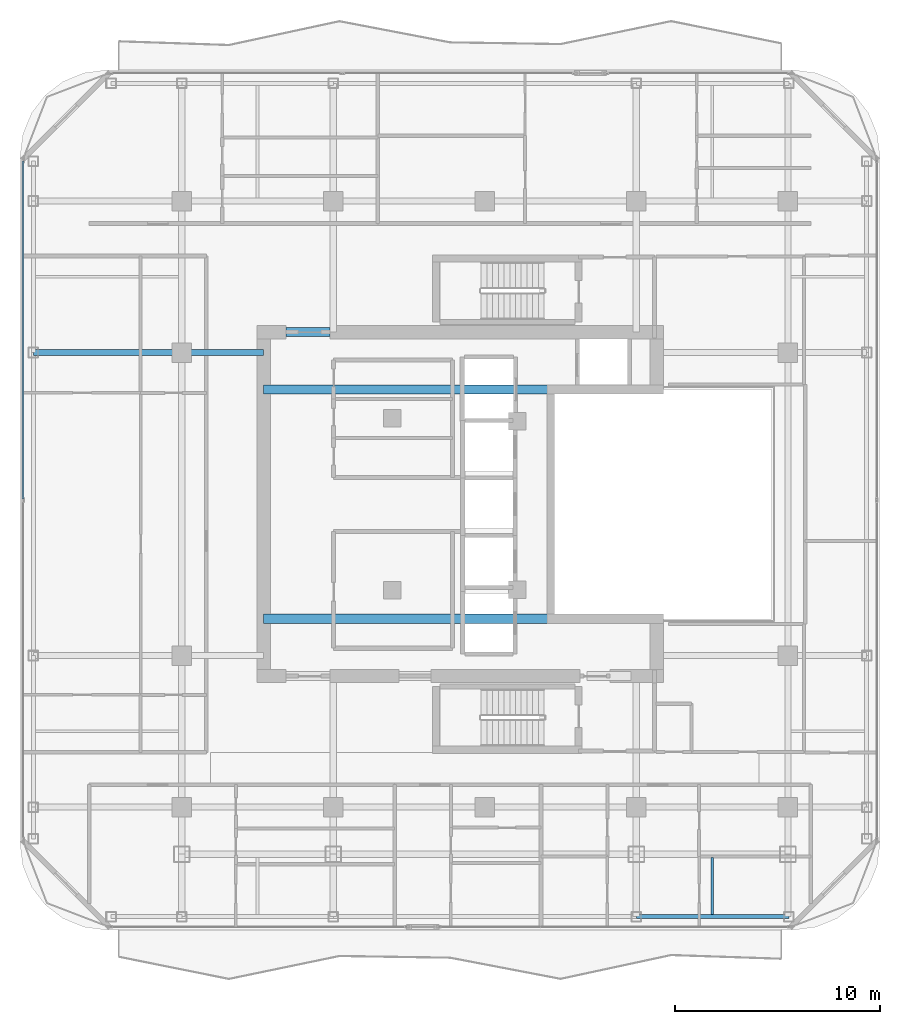
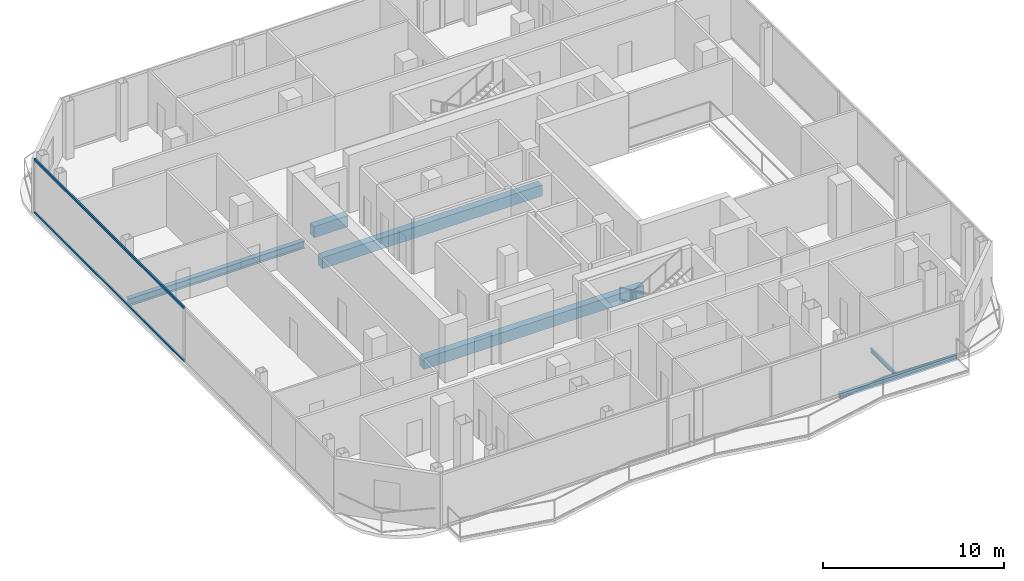
# One storey, part 7 of 22: 7 beams, 2 members, 1 element without a shape of its own.
"""IFC4 building model written with IfcOpenShell, lengths in metres."""

from ifc_helpers import new_model, si_unit, direction, frame, origin, origin_2d, place, context, subcontext, project, spatial, rectangle, hollow_rectangle, i_section, extrude, material, layer, layer_set, material_profile, profile_set, type_object, element, aggregate, save


model = new_model("IFC4")

# Units and contexts
model_context = context("Model", 3, precision=1e-05, world=origin(), true_north=direction((0.0, 1.0)))
body_context = subcontext(model_context, "Body", "Model", "MODEL_VIEW")
ifc_project = project(units=[si_unit("LENGTHUNIT", "METRE"), si_unit("AREAUNIT", "SQUARE_METRE"), si_unit("VOLUMEUNIT", "CUBIC_METRE"), si_unit("PLANEANGLEUNIT", "RADIAN"), si_unit("MASSUNIT", "GRAM", prefix="KILO")], contexts=[model_context])

# Site, building, storey
site_placement = place(None, origin())
site = spatial("IfcSite", under=ifc_project, at=site_placement, CompositionType="ELEMENT")
building_placement = place(site_placement, origin())
building = spatial("IfcBuilding", under=site, at=building_placement, Name="Khorvyn Point Tower", CompositionType="ELEMENT")
storey_placement = place(building_placement, frame((0.0, 0.0, 305.39990234375)))
storey = spatial("IfcBuildingStorey", under=building, at=storey_placement, Name="L75", CompositionType="ELEMENT", Elevation=305.39990234375)

# Curtain wall, members
ifc_material_1 = material(Name="Anodised aluminium 6063-T6 and laminated Low-E glass", Category="aluminium")
ifc_layer = layer(ifc_material_1, 0.18994140625)
ifc_layer_set = layer_set([ifc_layer], Name="Stick-Built High-Wind Curtain Wall CW-SYS-04")
curtain_wall_type = type_object("IfcCurtainWallType", Name="Stick-Built High-Wind Curtain Wall CW-SYS-04", PredefinedType="NOTDEFINED", material=ifc_layer_set)
curtain_wall_placement = place(storey_placement, origin())
curtain_wall = element("IfcCurtainWall", 1, at=curtain_wall_placement, inside=storey, type_object=curtain_wall_type, Name="Curtain Wall", PredefinedType="NOTDEFINED")
ifc_material_2 = material(Name="Anodised aluminium 6063-T6", Category="aluminium")
ifc_material_profile_1 = material_profile(ifc_material_2, hollow_rectangle(XDim=0.10009765625, YDim=0.159912109375, WallThickness=0.00439453125, at=origin_2d()))
ifc_profile_set_1 = profile_set([ifc_material_profile_1], Name="Anodised aluminium 6063-T6 ALU-TRN-100x160")
member_type = type_object("IfcMemberType", Name="Anodised Aluminium 6063-T6 Transom ALU-TRN-100x160", PredefinedType="USERDEFINED", material=ifc_profile_set_1)
member_1_placement = place(storey_placement, frame((-22.550048828125, 0.25, 0.050048828125), z_axis=(0.0, 1.0, 0.0), x_axis=(-1.0, 0.0, 0.0)))
member_1 = element("IfcMember", 2, at=member_1_placement, type_object=member_type, Name="Transom", ObjectType="TRANSOM", PredefinedType="USERDEFINED", context=body_context, shape_type="SweptSolid", body=[
    extrude(hollow_rectangle(XDim=0.10009765625, YDim=0.159912109375, WallThickness=0.00439453125, at=origin_2d()), origin(), (0.0, 0.0, 1.0), 16.5),
])
member_2_placement = place(storey_placement, frame((-22.550048828125, 0.25, 3.630126953125), z_axis=(0.0, 1.0, 0.0), x_axis=(-1.0, 0.0, 0.0)))
member_2 = element("IfcMember", 3, at=member_2_placement, type_object=member_type, Name="Transom", ObjectType="TRANSOM", PredefinedType="USERDEFINED", context=body_context, shape_type="SweptSolid", body=[
    extrude(hollow_rectangle(XDim=0.10009765625, YDim=0.159912109375, WallThickness=0.00439453125, at=origin_2d()), origin(), (0.0, 0.0, 1.0), 16.5),
])
aggregate(curtain_wall, [member_1, member_2])

# Beams
ifc_material_3 = material(Name="Concrete C40/50", Category="concrete")
ifc_material_profile_2 = material_profile(ifc_material_3, rectangle(XDim=0.449951171875, YDim=0.75, at=origin_2d()))
ifc_profile_set_2 = profile_set([ifc_material_profile_2], Name="Concrete C40/50 RC450x750")
beam_type_1 = type_object("IfcBeamType", Name="Concrete C40/50 Beam RC450x750", PredefinedType="BEAM", material=ifc_profile_set_2)
for number, where, z_axis, x_axis, name in (
    (4, (-10.800048828125, -5.60009765625, -0.594970703125), (1.0, 0.0, 0.0), (0.0, 1.0, 0.0), "L75 Core Internal Tie Girder S"),
    (5, (-10.800048828125, 5.60009765625, -0.594970703125), (1.0, 0.0, 0.0), (0.0, 1.0, 0.0), "L75 Core Internal Tie Girder N"),
):
    element("IfcBeam", number, at=place(storey_placement, frame(where, z_axis=z_axis, x_axis=x_axis)), inside=storey, type_object=beam_type_1, Name=name, PredefinedType="BEAM", context=body_context, shape_type="SweptSolid", body=[
        extrude(rectangle(XDim=0.449951171875, YDim=0.75, at=origin_2d()), origin(), (0.0, 0.0, 1.0), 14.02001953125),
    ])
beam_1_placement = place(storey_placement, frame((-9.699951171875, 8.39990234375, -0.594970703125), z_axis=(1.0, 0.0, 0.0), x_axis=(0.0, 1.0, 0.0)))
element("IfcBeam", 6, at=beam_1_placement, inside=storey, type_object=beam_type_1, Name="L75 Core Northwest Portal Coupling Beam", PredefinedType="BEAM", context=body_context, shape_type="SweptSolid", body=[
    extrude(rectangle(XDim=0.449951171875, YDim=0.75, at=origin_2d()), origin(), (0.0, 0.0, 1.0), 2.14990234375),
])
ifc_material_4 = material(Name="Steel S355", Category="steel")
ifc_material_profile_3 = material_profile(ifc_material_4, i_section(OverallWidth=0.125, OverallDepth=0.25, WebThickness=0.006103515625, FlangeThickness=0.009033203125, at=origin_2d()))
ifc_profile_set_3 = profile_set([ifc_material_profile_3], Name="Steel S355 H250x125x6x9")
beam_type_2 = type_object("IfcBeamType", Name="Steel S355 Joist H250x125x6x9", PredefinedType="JOIST", material=ifc_profile_set_3)
beam_2_placement = place(storey_placement, frame((11.10009765625, -20.050048828125, -0.344970703125), z_axis=(0.0, 1.0, 0.0), x_axis=(-1.0, 0.0, 0.0)))
element("IfcBeam", 7, at=beam_2_placement, inside=storey, type_object=beam_type_2, Name="Beam", PredefinedType="JOIST", context=body_context, shape_type="SweptSolid", body=[
    extrude(i_section(OverallWidth=0.125, OverallDepth=0.25, WebThickness=0.006103515625, FlangeThickness=0.009033203125, at=origin_2d()), origin(), (0.0, 0.0, 1.0), 2.800048828125),
])
ifc_material_profile_4 = material_profile(ifc_material_4, i_section(OverallWidth=0.300048828125, OverallDepth=0.488037109375, WebThickness=0.010986328125, FlangeThickness=0.01806640625, at=origin_2d()))
ifc_profile_set_4 = profile_set([ifc_material_profile_4], Name="Steel S355 H488x300x11x18")
beam_type_3 = type_object("IfcBeamType", Name="Steel S355 Spandrel H488x300x11x18", PredefinedType="SPANDREL", material=ifc_profile_set_4)
beam_3_placement = place(storey_placement, frame((-22.050048828125, 7.39990234375, -0.4638671875), z_axis=(1.0, 0.0, 0.0), x_axis=(0.0, 1.0, 0.0)))
element("IfcBeam", 8, at=beam_3_placement, inside=storey, type_object=beam_type_3, Name="Beam", PredefinedType="SPANDREL", context=body_context, shape_type="SweptSolid", body=[
    extrude(i_section(OverallWidth=0.300048828125, OverallDepth=0.488037109375, WebThickness=0.010986328125, FlangeThickness=0.01806640625, at=origin_2d()), origin(), (0.0, 0.0, 1.0), 7.25),
])
beam_4_placement = place(storey_placement, frame((-14.800048828125, 7.39990234375, -0.4638671875), z_axis=(1.0, 0.0, 0.0), x_axis=(0.0, 1.0, 0.0)))
element("IfcBeam", 9, at=beam_4_placement, inside=storey, type_object=beam_type_3, Name="Beam", PredefinedType="SPANDREL", context=body_context, shape_type="SweptSolid", body=[
    extrude(i_section(OverallWidth=0.300048828125, OverallDepth=0.488037109375, WebThickness=0.010986328125, FlangeThickness=0.01806640625, at=origin_2d()), origin(), (0.0, 0.0, 1.0), 4.0),
])
ifc_material_profile_5 = material_profile(ifc_material_4, hollow_rectangle(XDim=0.199951171875, YDim=0.35009765625, WallThickness=0.013916015625, at=origin_2d()))
ifc_profile_set_5 = profile_set([ifc_material_profile_5], Name="Steel S355 RHS350x200x14")
beam_type_4 = type_object("IfcBeamType", Name="Steel S355 Spandrel RHS350x200x14", PredefinedType="SPANDREL", material=ifc_profile_set_5)
beam_5_placement = place(storey_placement, frame((7.39990234375, -20.14990234375, -0.39501953125), z_axis=(1.0, 0.0, 0.0), x_axis=(0.0, 1.0, 0.0)))
element("IfcBeam", 10, at=beam_5_placement, inside=storey, type_object=beam_type_4, Name="Beam", PredefinedType="SPANDREL", context=body_context, shape_type="SweptSolid", body=[
    extrude(hollow_rectangle(XDim=0.199951171875, YDim=0.35009765625, WallThickness=0.013916015625, at=origin_2d()), origin(), (0.0, 0.0, 1.0), 7.4501953125),
])

save(model, "model.ifc")
